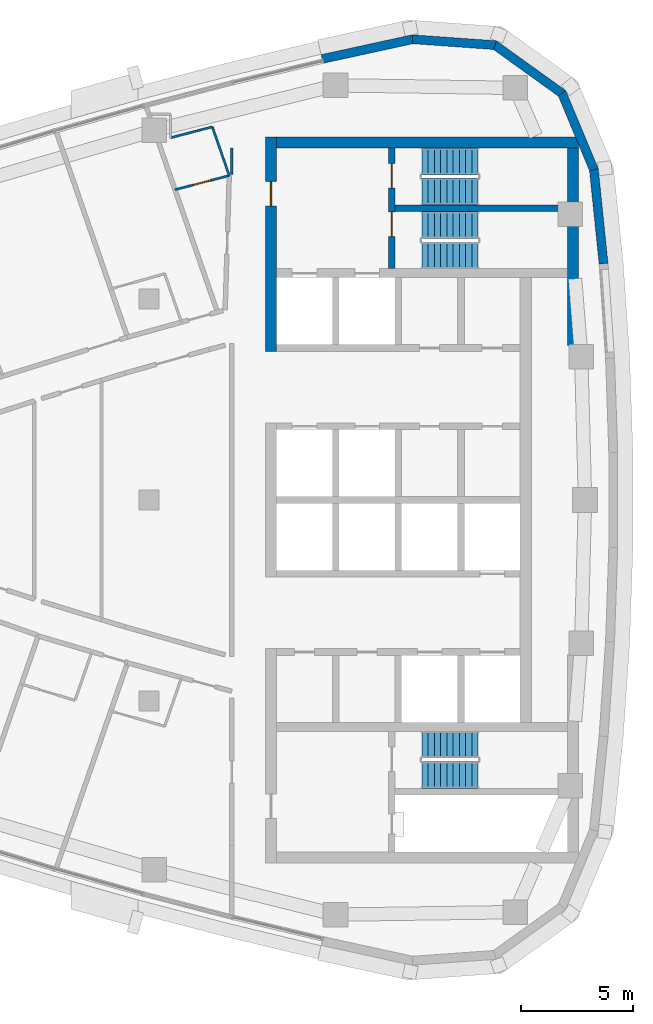
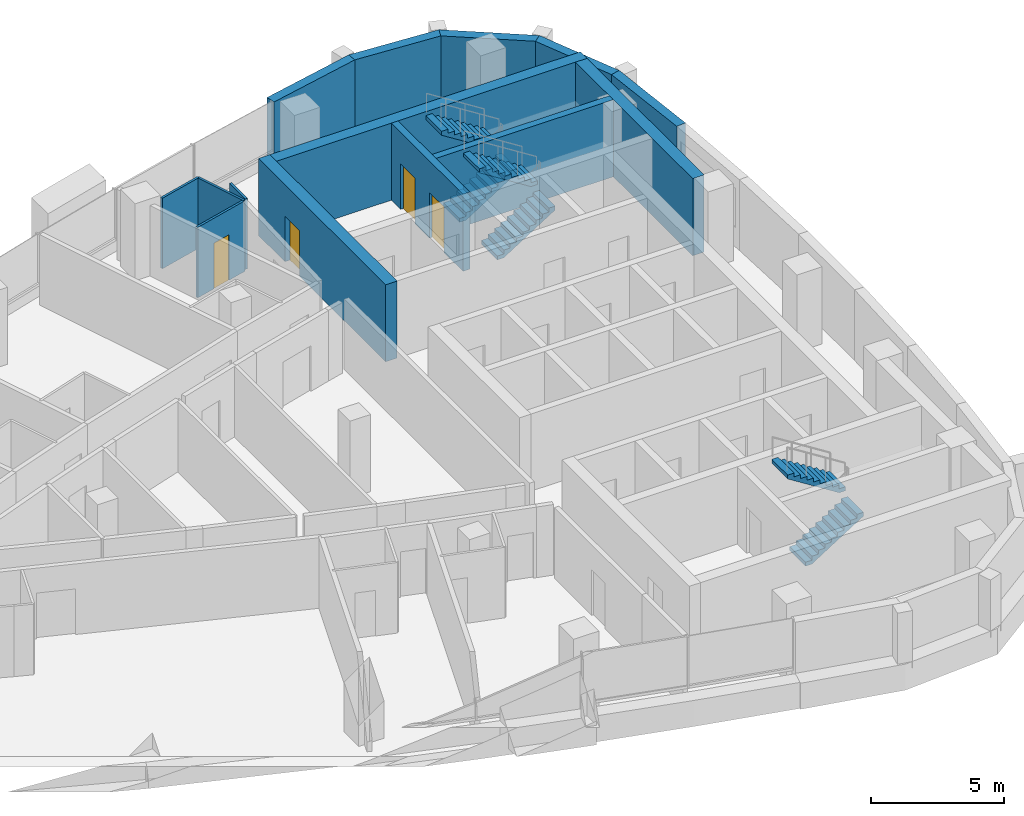
# One storey, part 10 of 14: 14 walls, 6 stair flights, 4 doors, 4 openings, 3 elements without a shape of their own.
"""IFC4 building model written with IfcOpenShell, lengths in metres."""

from ifc_helpers import new_model, si_unit, direction, frame, frame_2d, origin, place, context, subcontext, project, spatial, polyline, rectangle, outline, extrude, material, layer, layer_set, type_object, element, fill, aggregate, save


model = new_model("IFC4")

# Units and contexts
model_context = context("Model", 3, precision=1e-05, world=origin(), true_north=direction((0.0, 1.0)))
body_context = subcontext(model_context, "Body", "Model", "MODEL_VIEW")
ifc_project = project(units=[si_unit("LENGTHUNIT", "METRE"), si_unit("AREAUNIT", "SQUARE_METRE"), si_unit("VOLUMEUNIT", "CUBIC_METRE"), si_unit("PLANEANGLEUNIT", "RADIAN"), si_unit("MASSUNIT", "GRAM", prefix="KILO")], contexts=[model_context])

# Site, building, storey
site_placement = place(None, origin())
site = spatial("IfcSite", under=ifc_project, at=site_placement, CompositionType="ELEMENT")
building_placement = place(site_placement, origin())
building = spatial("IfcBuilding", under=site, at=building_placement, Name="Ostrand Prow Hotel Tower", CompositionType="ELEMENT")
storey_placement = place(building_placement, frame((0.0, 0.0, 296.300048828125)))
storey = spatial("IfcBuildingStorey", under=building, at=storey_placement, Name="L75", CompositionType="ELEMENT", Elevation=296.300048828125)

# Wall, openings, doors
ifc_material_1 = material(Name="Concrete C50/60", Category="concrete")
ifc_layer_1 = layer(ifc_material_1, 0.300048828125)
ifc_layer_set_1 = layer_set([ifc_layer_1], Name="Concrete C50/60")
wall_type_1 = type_object("IfcWallType", Name="Core wall 300 C50/60", PredefinedType="SHEAR", material=ifc_layer_set_1)
wall_1_placement = place(storey_placement, frame((55.85009765625, 10.35009765625, 0.0), z_axis=(0.0, 0.0, 1.0), x_axis=(0.0, 1.0, 0.0)))
wall_1 = element("IfcWall", 1, at=wall_1_placement, inside=storey, type_object=wall_type_1, Name="Core wall PW-VN", PredefinedType="SHEAR", context=body_context, shape_type="SweptSolid", body=[
    extrude(rectangle(XDim=5.39990234375, YDim=0.300048828125, at=frame_2d((2.699951171875, 0.0))), origin(), (0.0, 0.0, 1.0), 3.550048828125),
])
opening_1_placement = place(wall_1_placement, frame((1.429931640625, 0.0, 0.0)))
opening_1 = element("IfcOpeningElement", 2, at=opening_1_placement, cuts=wall_1, Name="Opening FD1", PredefinedType="OPENING", context=body_context, shape_type="SweptSolid", body=[
    extrude(rectangle(XDim=1.10009765625, YDim=2.10009765625, at=frame_2d((0.550048828125, 1.050048828125))), frame((0.0, 0.159912109375, 0.0), z_axis=(0.0, -1.0, 0.0), x_axis=(1.0, 0.0, 0.0)), (0.0, 0.0, 1.0), 0.320068359375),
])
opening_2_placement = place(wall_1_placement, frame((3.60009765625, 0.0, 0.0)))
opening_2 = element("IfcOpeningElement", 3, at=opening_2_placement, cuts=wall_1, Name="Opening FD1", PredefinedType="OPENING", context=body_context, shape_type="SweptSolid", body=[
    extrude(rectangle(XDim=1.10009765625, YDim=2.10009765625, at=frame_2d((0.550048828125, 1.050048828125))), frame((0.0, 0.159912109375, 0.0), z_axis=(0.0, -1.0, 0.0), x_axis=(1.0, 0.0, 0.0)), (0.0, 0.0, 1.0), 0.320068359375),
])
ifc_material_2 = material(Name="Steel fire door", Category="steel")
door_type_1 = type_object("IfcDoorType", Name="Fire door 1100 EI120", OperationType="SINGLE_SWING_RIGHT", PredefinedType="DOOR", material=ifc_material_2)
door_1_placement = place(opening_1_placement, origin())
door_1 = element("IfcDoor", 4, at=door_1_placement, inside=storey, type_object=door_type_1, Name="FIRE DOOR", OperationType="SINGLE_SWING_RIGHT", OverallHeight=2.10009765625, OverallWidth=1.10009765625, PredefinedType="DOOR", context=body_context, shape_type="SweptSolid", body=[
    extrude(rectangle(XDim=1.10009765625, YDim=2.10009765625, at=frame_2d((0.550048828125, 1.050048828125))), frame((0.0, 0.02490234375, 0.0), z_axis=(0.0, -1.0, 0.0), x_axis=(1.0, 0.0, 0.0)), (0.0, 0.0, 1.0), 0.050048828125),
])
fill(opening_1, door_1)
door_2_placement = place(opening_2_placement, origin())
door_2 = element("IfcDoor", 5, at=door_2_placement, inside=storey, type_object=door_type_1, Name="FIRE DOOR", OperationType="SINGLE_SWING_RIGHT", OverallHeight=2.10009765625, OverallWidth=1.10009765625, PredefinedType="DOOR", context=body_context, shape_type="SweptSolid", body=[
    extrude(rectangle(XDim=1.10009765625, YDim=2.10009765625, at=frame_2d((0.550048828125, 1.050048828125))), frame((0.0, 0.02490234375, 0.0), z_axis=(0.0, -1.0, 0.0), x_axis=(1.0, 0.0, 0.0)), (0.0, 0.0, 1.0), 0.050048828125),
])
fill(opening_2, door_2)

# Wall
wall_2_placement = place(storey_placement, frame((56.0, 13.050048828125, 0.0), z_axis=(0.0, 0.0, 1.0), x_axis=(1.0, 0.0, 0.0)))
element("IfcWall", 6, at=wall_2_placement, inside=storey, type_object=wall_type_1, Name="Core wall PW-ST13", PredefinedType="SHEAR", context=body_context, shape_type="SweptSolid", body=[
    extrude(rectangle(XDim=7.719970703125, YDim=0.300048828125, at=frame_2d((3.85986328125, 0.0))), origin(), (0.0, 0.0, 1.0), 3.550048828125),
])

# Wall, opening, door
ifc_material_3 = material(Name="Concrete C50/60", Category="concrete")
ifc_layer_2 = layer(ifc_material_3, 0.5)
ifc_layer_set_2 = layer_set([ifc_layer_2], Name="Concrete C50/60")
wall_type_2 = type_object("IfcWallType", Name="Core wall 500 C50/60", PredefinedType="SHEAR", material=ifc_layer_set_2)
wall_3_placement = place(storey_placement, frame((50.449951171875, 6.64990234375, 0.0), z_axis=(0.0, 0.0, 1.0), x_axis=(0.0, 1.0, 0.0)))
wall_3 = element("IfcWall", 7, at=wall_3_placement, inside=storey, type_object=wall_type_2, Name="Core wall CW-W-N", PredefinedType="SHEAR", context=body_context, shape_type="SweptSolid", body=[
    extrude(rectangle(XDim=9.60009765625, YDim=0.5, at=frame_2d((4.800048828125, 0.0))), origin(), (0.0, 0.0, 1.0), 3.550048828125),
])
opening_3_placement = place(wall_3_placement, frame((6.5, 0.0, 0.0)))
opening_3 = element("IfcOpeningElement", 8, at=opening_3_placement, cuts=wall_3, Name="Opening FD1", PredefinedType="OPENING", context=body_context, shape_type="SweptSolid", body=[
    extrude(rectangle(XDim=1.10009765625, YDim=2.10009765625, at=frame_2d((0.550048828125, 1.050048828125))), frame((0.0, 0.260009765625, 0.0), z_axis=(0.0, -1.0, 0.0), x_axis=(1.0, 0.0, 0.0)), (0.0, 0.0, 1.0), 0.52001953125),
])
door_3_placement = place(opening_3_placement, origin())
door_3 = element("IfcDoor", 9, at=door_3_placement, inside=storey, type_object=door_type_1, Name="FIRE DOOR", OperationType="SINGLE_SWING_RIGHT", OverallHeight=2.10009765625, OverallWidth=1.10009765625, PredefinedType="DOOR", context=body_context, shape_type="SweptSolid", body=[
    extrude(rectangle(XDim=1.10009765625, YDim=2.10009765625, at=frame_2d((0.550048828125, 1.050048828125))), frame((0.0, 0.02490234375, 0.0), z_axis=(0.0, -1.0, 0.0), x_axis=(1.0, 0.0, 0.0)), (0.0, 0.0, 1.0), 0.050048828125),
])
fill(opening_3, door_3)

# Walls
wall_4_placement = place(storey_placement, frame((50.699951171875, 16.0, 0.0), z_axis=(0.0, 0.0, 1.0), x_axis=(1.0, 0.0, 0.0)))
element("IfcWall", 10, at=wall_4_placement, inside=storey, type_object=wall_type_2, Name="Core wall CW-N", PredefinedType="SHEAR", context=body_context, shape_type="SweptSolid", body=[
    extrude(rectangle(XDim=13.52001953125, YDim=0.5, at=frame_2d((6.760009765625, 0.0))), origin(), (0.0, 0.0, 1.0), 3.550048828125),
])
wall_5_placement = place(storey_placement, frame((63.969970703125, 6.9033203125, 0.0), z_axis=(0.0, 0.0, 1.0), x_axis=(0.0, 1.0, 0.0)))
element("IfcWall", 11, at=wall_5_placement, inside=storey, type_object=wall_type_2, Name="Core wall CW-E-N", PredefinedType="SHEAR", context=body_context, shape_type="SweptSolid", body=[
    extrude(rectangle(XDim=8.8466796875, YDim=0.5, at=frame_2d((4.42333984375, 0.0))), origin(), (0.0, 0.0, 1.0), 3.550048828125),
])

# Wall, opening, door
ifc_material_4 = material(Name="Plasterboard partition")
ifc_layer_3 = layer(ifc_material_4, 0.10009765625)
ifc_layer_set_3 = layer_set([ifc_layer_3], Name="Plasterboard partition")
wall_type_3 = type_object("IfcWallType", Name="Partition 100 bathroom wall", PredefinedType="PARTITIONING", material=ifc_layer_set_3)
wall_6_placement = place(storey_placement, frame((48.58251953125, 14.515625, 0.0), z_axis=(0.0, 0.0, 1.0), x_axis=(-0.967665843663, -0.252235633897, 0.0)))
wall_6 = element("IfcWall", 12, at=wall_6_placement, inside=storey, type_object=wall_type_3, Name="BATHROOM WALL", PredefinedType="PARTITIONING", context=body_context, shape_type="SweptSolid", body=[
    extrude(rectangle(XDim=2.5078125, YDim=0.10009765625, at=frame_2d((1.25390625, 0.0))), origin(), (0.0, 0.0, 1.0), 3.25),
])
opening_4_placement = place(wall_6_placement, frame((0.85009765625, 0.0, 0.0)))
opening_4 = element("IfcOpeningElement", 13, at=opening_4_placement, cuts=wall_6, Name="Opening D2", PredefinedType="OPENING", context=body_context, shape_type="SweptSolid", body=[
    extrude(rectangle(XDim=0.800048828125, YDim=2.10009765625, at=frame_2d((0.39990234375, 1.050048828125))), frame((0.0, 0.06005859375, 0.0), z_axis=(0.0, -1.0, 0.0), x_axis=(1.0, 0.0, 0.0)), (0.0, 0.0, 1.0), 0.1201171875),
])
ifc_material_5 = material(Name="Timber door leaf", Category="wood")
door_type_2 = type_object("IfcDoorType", Name="Bathroom door 800", OperationType="SINGLE_SWING_LEFT", PredefinedType="DOOR", material=ifc_material_5)
door_4_placement = place(opening_4_placement, origin())
door_4 = element("IfcDoor", 14, at=door_4_placement, inside=storey, type_object=door_type_2, Name="DOOR", OperationType="SINGLE_SWING_LEFT", OverallHeight=2.10009765625, OverallWidth=0.800048828125, PredefinedType="DOOR", context=body_context, shape_type="SweptSolid", body=[
    extrude(rectangle(XDim=0.800048828125, YDim=2.10009765625, at=frame_2d((0.39990234375, 1.050048828125))), frame((0.0, 0.02490234375, 0.0), z_axis=(0.0, -1.0, 0.0), x_axis=(1.0, 0.0, 0.0)), (0.0, 0.0, 1.0), 0.050048828125),
])
fill(opening_4, door_4)

# Walls
wall_7_placement = place(storey_placement, frame((45.95458984375, 16.20751953125, 0.0), z_axis=(0.0, 0.0, 1.0), x_axis=(0.967650770907, 0.25229345129, 0.0)))
element("IfcWall", 15, at=wall_7_placement, inside=storey, type_object=wall_type_3, Name="BATHROOM WALL", PredefinedType="PARTITIONING", context=body_context, shape_type="SweptSolid", body=[
    extrude(rectangle(XDim=1.934326171875, YDim=0.10009765625, at=frame_2d((0.96728515625, 0.0))), origin(), (0.0, 0.0, 1.0), 3.25),
])
wall_8_placement = place(storey_placement, frame((47.826416015625, 16.695556640625, 0.0), z_axis=(0.0, 0.0, 1.0), x_axis=(0.327695604762, -0.944783356447, 0.0)))
element("IfcWall", 16, at=wall_8_placement, inside=storey, type_object=wall_type_3, Name="BATHROOM WALL", PredefinedType="PARTITIONING", context=body_context, shape_type="SweptSolid", body=[
    extrude(rectangle(XDim=2.307373046875, YDim=0.10009765625, at=frame_2d((1.15380859375, 0.0))), origin(), (0.0, 0.0, 1.0), 3.25),
])
wall_9_placement = place(storey_placement, frame((48.699951171875, 14.559326171875, 0.0), z_axis=(0.0, 0.0, 1.0), x_axis=(0.0, 1.0, 0.0)))
element("IfcWall", 17, at=wall_9_placement, inside=storey, type_object=wall_type_3, Name="BATHROOM WALL", PredefinedType="PARTITIONING", context=body_context, shape_type="SweptSolid", body=[
    extrude(rectangle(XDim=1.190673828125, YDim=0.10009765625, at=frame_2d((0.59521484375, 0.0))), origin(), (0.0, 0.0, 1.0), 3.25),
])
ifc_material_6 = material(Name="Precast concrete C40/50", Category="concrete")
ifc_layer_4 = layer(ifc_material_6, 0.39990234375)
ifc_layer_set_4 = layer_set([ifc_layer_4], Name="Precast concrete C40/50")
wall_type_4 = type_object("IfcWallType", Name="Stone-faced precast wall 400 mm", PredefinedType="NOTDEFINED", material=ifc_layer_set_4)
wall_10_placement = place(storey_placement, frame((65.3310546875, 10.5712890625, 0.0), z_axis=(0.0, 0.0, 1.0), x_axis=(-0.102249826987, 0.994758751096, 0.0)))
element("IfcWall", 18, at=wall_10_placement, inside=storey, type_object=wall_type_4, Name="Stone-faced wall back 11", PredefinedType="NOTDEFINED", context=body_context, shape_type="SweptSolid", body=[
    extrude(outline(polyline([(-0.00341796875, -0.199951171875), (4.262939453125, -0.199951171875), (4.203857421875, 0.199951171875), (0.00341796875, 0.199951171875), (-0.00341796875, -0.199951171875)])), origin(), (0.0, 0.0, 1.0), 3.25),
])
wall_11_placement = place(storey_placement, frame((64.898193359375, 14.782470703125, 0.0), z_axis=(0.0, 0.0, 1.0), x_axis=(-0.385285857918, 0.922797273343, 0.0)))
element("IfcWall", 19, at=wall_11_placement, inside=storey, type_object=wall_type_4, Name="Stone-faced wall back 12", PredefinedType="NOTDEFINED", context=body_context, shape_type="SweptSolid", body=[
    extrude(outline(polyline([(-0.029541015625, -0.199951171875), (3.75341796875, -0.199951171875), (3.64013671875, 0.199951171875), (0.029541015625, 0.199951171875), (-0.029541015625, -0.199951171875)])), origin(), (0.0, 0.0, 1.0), 3.25),
])
wall_12_placement = place(storey_placement, frame((63.473876953125, 18.19384765625, 0.0), z_axis=(0.0, 0.0, 1.0), x_axis=(-0.811962548682, 0.583709533533, 0.0)))
element("IfcWall", 20, at=wall_12_placement, inside=storey, type_object=wall_type_4, Name="Stone-faced wall back 13", PredefinedType="NOTDEFINED", context=body_context, shape_type="SweptSolid", body=[
    extrude(outline(polyline([(-0.056640625, -0.199951171875), (3.753173828125, -0.199951171875), (3.639892578125, 0.199951171875), (0.056640625, 0.199951171875), (-0.056640625, -0.199951171875)])), origin(), (0.0, 0.0, 1.0), 3.25),
])
wall_13_placement = place(storey_placement, frame((60.472412109375, 20.3515625, 0.0), z_axis=(0.0, 0.0, 1.0), x_axis=(-0.99746272096, 0.071190731806, 0.0)))
element("IfcWall", 21, at=wall_13_placement, inside=storey, type_object=wall_type_4, Name="Stone-faced wall back 14", PredefinedType="NOTDEFINED", context=body_context, shape_type="SweptSolid", body=[
    extrude(outline(polyline([(-0.056640625, -0.199951171875), (3.7255859375, -0.199951171875), (3.66796875, 0.199951171875), (0.056640625, 0.199951171875), (-0.056640625, -0.199951171875)])), origin(), (0.0, 0.0, 1.0), 3.25),
])
wall_14_placement = place(storey_placement, frame((56.784912109375, 20.61474609375, 0.0), z_axis=(0.0, 0.0, 1.0), x_axis=(-0.977020225348, -0.213146614471, 0.0)))
element("IfcWall", 22, at=wall_14_placement, inside=storey, type_object=wall_type_4, Name="Stone-faced wall back 15", PredefinedType="NOTDEFINED", context=body_context, shape_type="SweptSolid", body=[
    extrude(outline(polyline([(-0.02880859375, -0.199951171875), (4.141845703125, -0.199951171875), (4.141845703125, 0.199951171875), (0.02880859375, 0.199951171875), (-0.02880859375, -0.199951171875)])), origin(), (0.0, 0.0, 1.0), 3.25),
])

# Stair, stair flights
ifc_material_7 = material(Name="Concrete C40/50", Category="concrete")
stair_type = type_object("IfcStairType", Name="Exit stair 1200 upper zone", PredefinedType="HALF_TURN_STAIR", material=ifc_material_7)
stair_1_placement = place(storey_placement, origin())
stair_1 = element("IfcStair", 23, at=stair_1_placement, inside=storey, type_object=stair_type, Name="L75 ST1C", PredefinedType="HALF_TURN_STAIR")
ifc_material_8 = material(Name="Concrete C40/50", Category="concrete")
stair_flight_type = type_object("IfcStairFlightType", Name="Stair flight 1200 concrete", PredefinedType="STRAIGHT", material=ifc_material_8)
stair_flight_1_placement = place(storey_placement, frame((57.199951171875, 10.949951171875, 0.0), z_axis=(0.0, 0.0, 1.0), x_axis=(1.0, 0.0, 0.0)))
stair_flight_1 = element("IfcStairFlight", 24, at=stair_flight_1_placement, type_object=stair_flight_type, Name="ST1C flight 1", NumberOfRisers=10, NumberOfTreads=9, PredefinedType="STRAIGHT", RiserHeight=0.1775, TreadLength=0.28, context=body_context, shape_type="SweptSolid", body=[
    extrude(outline(polyline([(0.0, 0.0), (0.0, 0.177490234375), (0.280029296875, 0.177490234375), (0.280029296875, 0.35498046875), (0.56005859375, 0.35498046875), (0.56005859375, 0.532470703125), (0.840087890625, 0.532470703125), (0.840087890625, 0.7099609375), (1.1201171875, 0.7099609375), (1.1201171875, 0.887451171875), (1.39990234375, 0.887451171875), (1.39990234375, 1.06494140625), (1.679931640625, 1.06494140625), (1.679931640625, 1.242431640625), (1.9599609375, 1.242431640625), (1.9599609375, 1.419921875), (2.239990234375, 1.419921875), (2.239990234375, 1.597412109375), (2.52001953125, 1.597412109375), (2.52001953125, 1.77490234375), (2.52001953125, 1.419921875), (0.280029296875, 0.0), (0.0, 0.0)])), frame((0.0, 0.60009765625, 0.0), z_axis=(0.0, -1.0, 0.0), x_axis=(1.0, 0.0, 0.0)), (0.0, 0.0, 1.0), 1.199951171875),
])
stair_flight_2_placement = place(storey_placement, frame((59.719970703125, 12.300048828125, 1.77490234375), z_axis=(0.0, 0.0, 1.0), x_axis=(-1.0, 0.0, 0.0)))
stair_flight_2 = element("IfcStairFlight", 25, at=stair_flight_2_placement, type_object=stair_flight_type, Name="ST1C flight 2", NumberOfRisers=10, NumberOfTreads=9, PredefinedType="STRAIGHT", RiserHeight=0.1775, TreadLength=0.28, context=body_context, shape_type="SweptSolid", body=[
    extrude(outline(polyline([(0.0, 0.0), (0.0, 0.177490234375), (0.280029296875, 0.177490234375), (0.280029296875, 0.35498046875), (0.56005859375, 0.35498046875), (0.56005859375, 0.532470703125), (0.840087890625, 0.532470703125), (0.840087890625, 0.7099609375), (1.1201171875, 0.7099609375), (1.1201171875, 0.887451171875), (1.39990234375, 0.887451171875), (1.39990234375, 1.06494140625), (1.679931640625, 1.06494140625), (1.679931640625, 1.242431640625), (1.9599609375, 1.242431640625), (1.9599609375, 1.419921875), (2.239990234375, 1.419921875), (2.239990234375, 1.597412109375), (2.52001953125, 1.597412109375), (2.52001953125, 1.77490234375), (2.52001953125, 1.419921875), (0.280029296875, 0.0), (0.0, 0.0)])), frame((0.0, 0.60009765625, 0.0), z_axis=(0.0, -1.0, 0.0), x_axis=(1.0, 0.0, 0.0)), (0.0, 0.0, 1.0), 1.199951171875),
])
aggregate(stair_1, [stair_flight_1, stair_flight_2])

stair_2_placement = place(storey_placement, origin())
stair_2 = element("IfcStair", 26, at=stair_2_placement, inside=storey, type_object=stair_type, Name="L75 ST3C", PredefinedType="HALF_TURN_STAIR")
stair_flight_3_placement = place(storey_placement, frame((57.199951171875, 13.800048828125, 0.0), z_axis=(0.0, 0.0, 1.0), x_axis=(1.0, 0.0, 0.0)))
stair_flight_3 = element("IfcStairFlight", 27, at=stair_flight_3_placement, type_object=stair_flight_type, Name="ST3C flight 1", NumberOfRisers=10, NumberOfTreads=9, PredefinedType="STRAIGHT", RiserHeight=0.1775, TreadLength=0.28, context=body_context, shape_type="SweptSolid", body=[
    extrude(outline(polyline([(0.0, 0.0), (0.0, 0.177490234375), (0.280029296875, 0.177490234375), (0.280029296875, 0.35498046875), (0.56005859375, 0.35498046875), (0.56005859375, 0.532470703125), (0.840087890625, 0.532470703125), (0.840087890625, 0.7099609375), (1.1201171875, 0.7099609375), (1.1201171875, 0.887451171875), (1.39990234375, 0.887451171875), (1.39990234375, 1.06494140625), (1.679931640625, 1.06494140625), (1.679931640625, 1.242431640625), (1.9599609375, 1.242431640625), (1.9599609375, 1.419921875), (2.239990234375, 1.419921875), (2.239990234375, 1.597412109375), (2.52001953125, 1.597412109375), (2.52001953125, 1.77490234375), (2.52001953125, 1.419921875), (0.280029296875, 0.0), (0.0, 0.0)])), frame((0.0, 0.60009765625, 0.0), z_axis=(0.0, -1.0, 0.0), x_axis=(1.0, 0.0, 0.0)), (0.0, 0.0, 1.0), 1.199951171875),
])
stair_flight_4_placement = place(storey_placement, frame((59.719970703125, 15.14990234375, 1.77490234375), z_axis=(0.0, 0.0, 1.0), x_axis=(-1.0, 0.0, 0.0)))
stair_flight_4 = element("IfcStairFlight", 28, at=stair_flight_4_placement, type_object=stair_flight_type, Name="ST3C flight 2", NumberOfRisers=10, NumberOfTreads=9, PredefinedType="STRAIGHT", RiserHeight=0.1775, TreadLength=0.28, context=body_context, shape_type="SweptSolid", body=[
    extrude(outline(polyline([(0.0, 0.0), (0.0, 0.177490234375), (0.280029296875, 0.177490234375), (0.280029296875, 0.35498046875), (0.56005859375, 0.35498046875), (0.56005859375, 0.532470703125), (0.840087890625, 0.532470703125), (0.840087890625, 0.7099609375), (1.1201171875, 0.7099609375), (1.1201171875, 0.887451171875), (1.39990234375, 0.887451171875), (1.39990234375, 1.06494140625), (1.679931640625, 1.06494140625), (1.679931640625, 1.242431640625), (1.9599609375, 1.242431640625), (1.9599609375, 1.419921875), (2.239990234375, 1.419921875), (2.239990234375, 1.597412109375), (2.52001953125, 1.597412109375), (2.52001953125, 1.77490234375), (2.52001953125, 1.419921875), (0.280029296875, 0.0), (0.0, 0.0)])), frame((0.0, 0.60009765625, 0.0), z_axis=(0.0, -1.0, 0.0), x_axis=(1.0, 0.0, 0.0)), (0.0, 0.0, 1.0), 1.199951171875),
])
aggregate(stair_2, [stair_flight_3, stair_flight_4])

stair_3_placement = place(storey_placement, origin())
stair_3 = element("IfcStair", 29, at=stair_3_placement, inside=storey, type_object=stair_type, Name="L75 ST2C", PredefinedType="HALF_TURN_STAIR")
stair_flight_5_placement = place(storey_placement, frame((57.199951171875, -12.300048828125, 0.0), z_axis=(0.0, 0.0, 1.0), x_axis=(1.0, 0.0, 0.0)))
stair_flight_5 = element("IfcStairFlight", 30, at=stair_flight_5_placement, type_object=stair_flight_type, Name="ST2C flight 1", NumberOfRisers=10, NumberOfTreads=9, PredefinedType="STRAIGHT", RiserHeight=0.1775, TreadLength=0.28, context=body_context, shape_type="SweptSolid", body=[
    extrude(outline(polyline([(0.0, 0.0), (0.0, 0.177490234375), (0.280029296875, 0.177490234375), (0.280029296875, 0.35498046875), (0.56005859375, 0.35498046875), (0.56005859375, 0.532470703125), (0.840087890625, 0.532470703125), (0.840087890625, 0.7099609375), (1.1201171875, 0.7099609375), (1.1201171875, 0.887451171875), (1.39990234375, 0.887451171875), (1.39990234375, 1.06494140625), (1.679931640625, 1.06494140625), (1.679931640625, 1.242431640625), (1.9599609375, 1.242431640625), (1.9599609375, 1.419921875), (2.239990234375, 1.419921875), (2.239990234375, 1.597412109375), (2.52001953125, 1.597412109375), (2.52001953125, 1.77490234375), (2.52001953125, 1.419921875), (0.280029296875, 0.0), (0.0, 0.0)])), frame((0.0, 0.60009765625, 0.0), z_axis=(0.0, -1.0, 0.0), x_axis=(1.0, 0.0, 0.0)), (0.0, 0.0, 1.0), 1.199951171875),
])
stair_flight_6_placement = place(storey_placement, frame((59.719970703125, -10.949951171875, 1.77490234375), z_axis=(0.0, 0.0, 1.0), x_axis=(-1.0, 0.0, 0.0)))
stair_flight_6 = element("IfcStairFlight", 31, at=stair_flight_6_placement, type_object=stair_flight_type, Name="ST2C flight 2", NumberOfRisers=10, NumberOfTreads=9, PredefinedType="STRAIGHT", RiserHeight=0.1775, TreadLength=0.28, context=body_context, shape_type="SweptSolid", body=[
    extrude(outline(polyline([(0.0, 0.0), (0.0, 0.177490234375), (0.280029296875, 0.177490234375), (0.280029296875, 0.35498046875), (0.56005859375, 0.35498046875), (0.56005859375, 0.532470703125), (0.840087890625, 0.532470703125), (0.840087890625, 0.7099609375), (1.1201171875, 0.7099609375), (1.1201171875, 0.887451171875), (1.39990234375, 0.887451171875), (1.39990234375, 1.06494140625), (1.679931640625, 1.06494140625), (1.679931640625, 1.242431640625), (1.9599609375, 1.242431640625), (1.9599609375, 1.419921875), (2.239990234375, 1.419921875), (2.239990234375, 1.597412109375), (2.52001953125, 1.597412109375), (2.52001953125, 1.77490234375), (2.52001953125, 1.419921875), (0.280029296875, 0.0), (0.0, 0.0)])), frame((0.0, 0.60009765625, 0.0), z_axis=(0.0, -1.0, 0.0), x_axis=(1.0, 0.0, 0.0)), (0.0, 0.0, 1.0), 1.199951171875),
])
aggregate(stair_3, [stair_flight_5, stair_flight_6])

save(model, "model.ifc")
